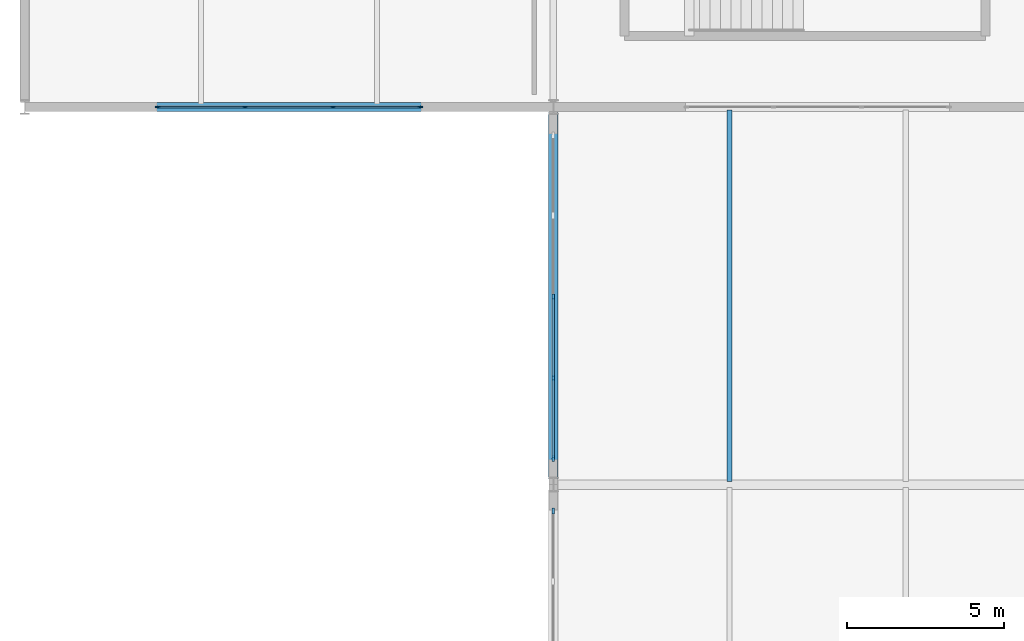
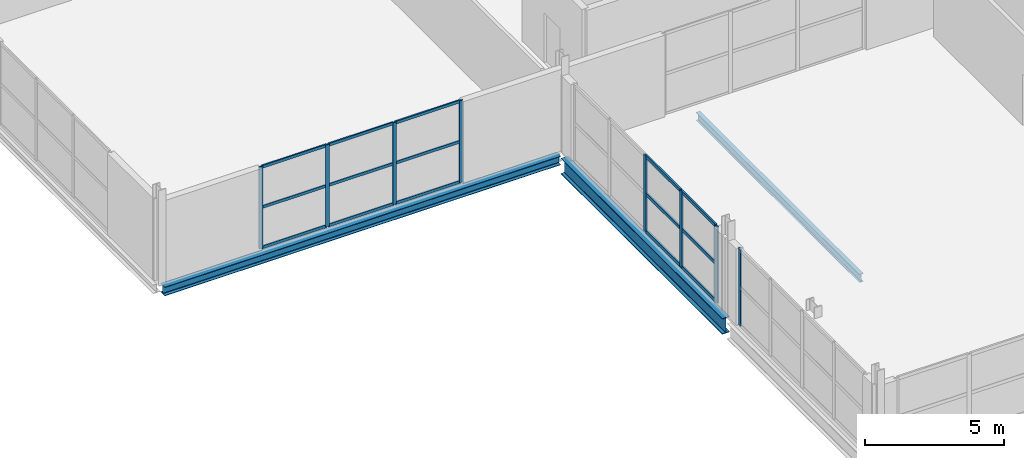
# One storey, part 10 of 39: 23 members, 3 beams, 3 elements without a shape of their own.
"""IFC4 building model written with IfcOpenShell, lengths in metres."""

from ifc_helpers import new_model, si_unit, direction, frame, origin, origin_2d, place, context, subcontext, project, spatial, rectangle, i_section, extrude, material, material_profile, profile_set, type_object, element, aggregate, save


model = new_model("IFC4")

# Units and contexts
model_context = context("Model", 3, precision=1e-05, world=origin(), true_north=direction((0.0, 1.0)))
body_context = subcontext(model_context, "Body", "Model", "MODEL_VIEW")
ifc_project = project(units=[si_unit("LENGTHUNIT", "METRE"), si_unit("AREAUNIT", "SQUARE_METRE"), si_unit("VOLUMEUNIT", "CUBIC_METRE"), si_unit("PLANEANGLEUNIT", "RADIAN"), si_unit("MASSUNIT", "GRAM", prefix="KILO")], contexts=[model_context])

# Site, building, storey
site_placement = place(None, origin())
site = spatial("IfcSite", under=ifc_project, at=site_placement, CompositionType="ELEMENT")
building_placement = place(site_placement, origin())
building = spatial("IfcBuilding", under=site, at=building_placement, Name="Kimbaza Rail Terminus", CompositionType="ELEMENT")
storey_placement = place(building_placement, frame((0.0, 0.0, 16.800048828125)))
storey = spatial("IfcBuildingStorey", under=building, at=storey_placement, Name="L03", CompositionType="ELEMENT", Elevation=16.800048828125)

# Curtain wall, member
ifc_material_1 = material(Name="Anodised aluminium framing and solar low-E glazing", Category="aluminium")
curtain_wall_type_1 = type_object("IfcCurtainWallType", Name="ARC-CW-BRG", PredefinedType="USERDEFINED", material=ifc_material_1)
curtain_wall_1_placement = place(storey_placement, origin())
curtain_wall_1 = element("IfcCurtainWall", 1, at=curtain_wall_1_placement, inside=storey, type_object=curtain_wall_type_1, Name="Over-Track Footbridge W Panoramic Curtain Wall 1", ObjectType="UNITISED CURTAIN WALL", PredefinedType="USERDEFINED")
ifc_material_2 = material(Name="Anodised architectural aluminium", Category="aluminium")
ifc_material_profile_1 = material_profile(ifc_material_2, rectangle(XDim=0.068115234375, YDim=0.18994140625, at=origin_2d()), Name="MULLION 68x190")
ifc_profile_set_1 = profile_set([ifc_material_profile_1], Name="Anodised architectural aluminium")
member_type_1 = type_object("IfcMemberType", Name="ARC-CWM-03", PredefinedType="MULLION", material=ifc_profile_set_1)
member_1_placement = place(storey_placement, frame((72.0, 90.166015625, 0.0), z_axis=(0.0, 0.0, 1.0), x_axis=(-1.0, 0.0, 0.0)))
member_1 = element("IfcMember", 2, at=member_1_placement, type_object=member_type_1, Name="CW-03 mullion 5", PredefinedType="MULLION", context=body_context, shape_type="SweptSolid", body=[
    extrude(rectangle(XDim=0.068115234375, YDim=0.18994140625, at=origin_2d()), origin(), (0.0, 0.0, 1.0), 3.369873046875),
])
aggregate(curtain_wall_1, [member_1])

# Curtain wall, members
curtain_wall_2_placement = place(storey_placement, origin())
curtain_wall_2 = element("IfcCurtainWall", 3, at=curtain_wall_2_placement, inside=storey, type_object=curtain_wall_type_1, Name="Over-Track Footbridge W Panoramic Curtain Wall 2", ObjectType="UNITISED CURTAIN WALL", PredefinedType="USERDEFINED")
member_2_placement = place(storey_placement, frame((72.0, 91.833984375, 0.0), z_axis=(0.0, 0.0, 1.0), x_axis=(-1.0, 0.0, 0.0)))
member_2 = element("IfcMember", 4, at=member_2_placement, type_object=member_type_1, Name="CW-03 mullion 1", PredefinedType="MULLION", context=body_context, shape_type="SweptSolid", body=[
    extrude(rectangle(XDim=0.068115234375, YDim=0.18994140625, at=origin_2d()), origin(), (0.0, 0.0, 1.0), 3.369873046875),
])
member_3_placement = place(storey_placement, frame((72.0, 94.385009765625, 0.0), z_axis=(0.0, 0.0, 1.0), x_axis=(-1.0, 0.0, 0.0)))
member_3 = element("IfcMember", 5, at=member_3_placement, type_object=member_type_1, Name="CW-03 mullion 2", PredefinedType="MULLION", context=body_context, shape_type="SweptSolid", body=[
    extrude(rectangle(XDim=0.068115234375, YDim=0.18994140625, at=origin_2d()), origin(), (0.0, 0.0, 1.0), 3.369873046875),
])
member_4_placement = place(storey_placement, frame((72.0, 96.969970703125, 0.0), z_axis=(0.0, 0.0, 1.0), x_axis=(-1.0, 0.0, 0.0)))
member_4 = element("IfcMember", 6, at=member_4_placement, type_object=member_type_1, Name="CW-03 mullion 3", PredefinedType="MULLION", context=body_context, shape_type="SweptSolid", body=[
    extrude(rectangle(XDim=0.068115234375, YDim=0.18994140625, at=origin_2d()), origin(), (0.0, 0.0, 1.0), 3.369873046875),
])

ifc_material_3 = material(Name="Anodised aluminium framing and solar low-E glazing", Category="aluminium")
curtain_wall_type_2 = type_object("IfcCurtainWallType", Name="ARC-CW-OP2", PredefinedType="USERDEFINED", material=ifc_material_3)
curtain_wall_3_placement = place(storey_placement, origin())
curtain_wall_3 = element("IfcCurtainWall", 7, at=curtain_wall_3_placement, inside=storey, type_object=curtain_wall_type_2, Name="Operations South Curtain Wall L03 Bay 1", ObjectType="STICK CURTAIN WALL", PredefinedType="USERDEFINED")
ifc_material_4 = material(Name="Anodised architectural aluminium", Category="aluminium")
ifc_material_profile_2 = material_profile(ifc_material_4, rectangle(XDim=0.05810546875, YDim=0.14990234375, at=origin_2d()), Name="MULLION 58x150")
ifc_profile_set_2 = profile_set([ifc_material_profile_2], Name="Anodised architectural aluminium")
member_type_2 = type_object("IfcMemberType", Name="ARC-CWM-06", PredefinedType="MULLION", material=ifc_profile_set_2)
member_5_placement = place(storey_placement, frame((59.428955078125, 103.0, 0.0), z_axis=(0.0, 0.0, 1.0), x_axis=(0.0, 1.0, 0.0)))
member_5 = element("IfcMember", 8, at=member_5_placement, type_object=member_type_2, Name="CW-06 mullion 1", PredefinedType="MULLION", context=body_context, shape_type="SweptSolid", body=[
    extrude(rectangle(XDim=0.05810546875, YDim=0.14990234375, at=origin_2d()), origin(), (0.0, 0.0, 1.0), 3.60498046875),
])
member_6_placement = place(storey_placement, frame((62.199951171875, 103.0, 0.0), z_axis=(0.0, 0.0, 1.0), x_axis=(0.0, 1.0, 0.0)))
member_6 = element("IfcMember", 9, at=member_6_placement, type_object=member_type_2, Name="CW-06 mullion 2", PredefinedType="MULLION", context=body_context, shape_type="SweptSolid", body=[
    extrude(rectangle(XDim=0.05810546875, YDim=0.14990234375, at=origin_2d()), origin(), (0.0, 0.0, 1.0), 3.60498046875),
])
member_7_placement = place(storey_placement, frame((65.0, 103.0, 0.0), z_axis=(0.0, 0.0, 1.0), x_axis=(0.0, 1.0, 0.0)))
member_7 = element("IfcMember", 10, at=member_7_placement, type_object=member_type_2, Name="CW-06 mullion 3", PredefinedType="MULLION", context=body_context, shape_type="SweptSolid", body=[
    extrude(rectangle(XDim=0.05810546875, YDim=0.14990234375, at=origin_2d()), origin(), (0.0, 0.0, 1.0), 3.60498046875),
])
member_8_placement = place(storey_placement, frame((67.77099609375, 103.0, 0.0), z_axis=(0.0, 0.0, 1.0), x_axis=(0.0, 1.0, 0.0)))
member_8 = element("IfcMember", 11, at=member_8_placement, type_object=member_type_2, Name="CW-06 mullion 4", PredefinedType="MULLION", context=body_context, shape_type="SweptSolid", body=[
    extrude(rectangle(XDim=0.05810546875, YDim=0.14990234375, at=origin_2d()), origin(), (0.0, 0.0, 1.0), 3.60498046875),
])

# Member
ifc_material_5 = material(Name="Anodised architectural aluminium", Category="aluminium")
ifc_material_profile_3 = material_profile(ifc_material_5, rectangle(XDim=0.068115234375, YDim=0.14990234375, at=origin_2d()), Name="TRANSOM 68x150")
ifc_profile_set_3 = profile_set([ifc_material_profile_3], Name="Anodised architectural aluminium")
member_type_3 = type_object("IfcMemberType", Name="ARC-CWT-03", PredefinedType="USERDEFINED", material=ifc_profile_set_3)
member_9_placement = place(storey_placement, frame((72.0, 91.867919921875, 0.033935546875), z_axis=(0.0, 1.0, 0.0), x_axis=(-1.0, 0.0, 0.0)))
member_9 = element("IfcMember", 12, at=member_9_placement, type_object=member_type_3, Name="CW-03 transom 1.1", ObjectType="TRANSOM", PredefinedType="USERDEFINED", context=body_context, shape_type="SweptSolid", body=[
    extrude(rectangle(XDim=0.068115234375, YDim=0.14990234375, at=origin_2d()), origin(), (0.0, 0.0, 1.0), 2.483154296875),
])

member_10_placement = place(storey_placement, frame((72.0, 91.867919921875, 1.68505859375), z_axis=(0.0, 1.0, 0.0), x_axis=(-1.0, 0.0, 0.0)))
member_10 = element("IfcMember", 13, at=member_10_placement, type_object=member_type_3, Name="CW-03 transom 1.2", ObjectType="TRANSOM", PredefinedType="USERDEFINED", context=body_context, shape_type="SweptSolid", body=[
    extrude(rectangle(XDim=0.068115234375, YDim=0.14990234375, at=origin_2d()), origin(), (0.0, 0.0, 1.0), 2.483154296875),
])

member_11_placement = place(storey_placement, frame((72.0, 91.867919921875, 3.3359375), z_axis=(0.0, 1.0, 0.0), x_axis=(-1.0, 0.0, 0.0)))
member_11 = element("IfcMember", 14, at=member_11_placement, type_object=member_type_3, Name="CW-03 transom 1.3", ObjectType="TRANSOM", PredefinedType="USERDEFINED", context=body_context, shape_type="SweptSolid", body=[
    extrude(rectangle(XDim=0.068115234375, YDim=0.14990234375, at=origin_2d()), origin(), (0.0, 0.0, 1.0), 2.483154296875),
])

member_12_placement = place(storey_placement, frame((72.0, 94.4189453125, 0.033935546875), z_axis=(0.0, 1.0, 0.0), x_axis=(-1.0, 0.0, 0.0)))
member_12 = element("IfcMember", 15, at=member_12_placement, type_object=member_type_3, Name="CW-03 transom 2.1", ObjectType="TRANSOM", PredefinedType="USERDEFINED", context=body_context, shape_type="SweptSolid", body=[
    extrude(rectangle(XDim=0.068115234375, YDim=0.14990234375, at=origin_2d()), origin(), (0.0, 0.0, 1.0), 2.51708984375),
])

member_13_placement = place(storey_placement, frame((72.0, 94.4189453125, 1.68505859375), z_axis=(0.0, 1.0, 0.0), x_axis=(-1.0, 0.0, 0.0)))
member_13 = element("IfcMember", 16, at=member_13_placement, type_object=member_type_3, Name="CW-03 transom 2.2", ObjectType="TRANSOM", PredefinedType="USERDEFINED", context=body_context, shape_type="SweptSolid", body=[
    extrude(rectangle(XDim=0.068115234375, YDim=0.14990234375, at=origin_2d()), origin(), (0.0, 0.0, 1.0), 2.51708984375),
])

member_14_placement = place(storey_placement, frame((72.0, 94.4189453125, 3.3359375), z_axis=(0.0, 1.0, 0.0), x_axis=(-1.0, 0.0, 0.0)))
member_14 = element("IfcMember", 17, at=member_14_placement, type_object=member_type_3, Name="CW-03 transom 2.3", ObjectType="TRANSOM", PredefinedType="USERDEFINED", context=body_context, shape_type="SweptSolid", body=[
    extrude(rectangle(XDim=0.068115234375, YDim=0.14990234375, at=origin_2d()), origin(), (0.0, 0.0, 1.0), 2.51708984375),
])

aggregate(curtain_wall_2, [member_2, member_3, member_4, member_9, member_10, member_11, member_12, member_13, member_14])

ifc_material_6 = material(Name="Anodised architectural aluminium", Category="aluminium")
ifc_material_profile_4 = material_profile(ifc_material_6, rectangle(XDim=0.05810546875, YDim=0.125, at=origin_2d()), Name="TRANSOM 58x125")
ifc_profile_set_4 = profile_set([ifc_material_profile_4], Name="Anodised architectural aluminium")
member_type_4 = type_object("IfcMemberType", Name="ARC-CWT-06", PredefinedType="USERDEFINED", material=ifc_profile_set_4)
member_15_placement = place(storey_placement, frame((59.4580078125, 103.0, 0.029052734375), z_axis=(1.0, 0.0, 0.0), x_axis=(0.0, 1.0, 0.0)))
member_15 = element("IfcMember", 18, at=member_15_placement, type_object=member_type_4, Name="CW-06 transom 1.1", ObjectType="TRANSOM", PredefinedType="USERDEFINED", context=body_context, shape_type="SweptSolid", body=[
    extrude(rectangle(XDim=0.05810546875, YDim=0.125, at=origin_2d()), origin(), (0.0, 0.0, 1.0), 2.712890625),
])

member_16_placement = place(storey_placement, frame((59.4580078125, 103.0, 1.802490234375), z_axis=(1.0, 0.0, 0.0), x_axis=(0.0, 1.0, 0.0)))
member_16 = element("IfcMember", 19, at=member_16_placement, type_object=member_type_4, Name="CW-06 transom 1.2", ObjectType="TRANSOM", PredefinedType="USERDEFINED", context=body_context, shape_type="SweptSolid", body=[
    extrude(rectangle(XDim=0.05810546875, YDim=0.125, at=origin_2d()), origin(), (0.0, 0.0, 1.0), 2.712890625),
])

member_17_placement = place(storey_placement, frame((59.4580078125, 103.0, 3.575927734375), z_axis=(1.0, 0.0, 0.0), x_axis=(0.0, 1.0, 0.0)))
member_17 = element("IfcMember", 20, at=member_17_placement, type_object=member_type_4, Name="CW-06 transom 1.3", ObjectType="TRANSOM", PredefinedType="USERDEFINED", context=body_context, shape_type="SweptSolid", body=[
    extrude(rectangle(XDim=0.05810546875, YDim=0.125, at=origin_2d()), origin(), (0.0, 0.0, 1.0), 2.712890625),
])

member_18_placement = place(storey_placement, frame((62.22900390625, 103.0, 0.029052734375), z_axis=(1.0, 0.0, 0.0), x_axis=(0.0, 1.0, 0.0)))
member_18 = element("IfcMember", 21, at=member_18_placement, type_object=member_type_4, Name="CW-06 transom 2.1", ObjectType="TRANSOM", PredefinedType="USERDEFINED", context=body_context, shape_type="SweptSolid", body=[
    extrude(rectangle(XDim=0.05810546875, YDim=0.125, at=origin_2d()), origin(), (0.0, 0.0, 1.0), 2.741943359375),
])

member_19_placement = place(storey_placement, frame((62.22900390625, 103.0, 1.802490234375), z_axis=(1.0, 0.0, 0.0), x_axis=(0.0, 1.0, 0.0)))
member_19 = element("IfcMember", 22, at=member_19_placement, type_object=member_type_4, Name="CW-06 transom 2.2", ObjectType="TRANSOM", PredefinedType="USERDEFINED", context=body_context, shape_type="SweptSolid", body=[
    extrude(rectangle(XDim=0.05810546875, YDim=0.125, at=origin_2d()), origin(), (0.0, 0.0, 1.0), 2.741943359375),
])

member_20_placement = place(storey_placement, frame((62.22900390625, 103.0, 3.575927734375), z_axis=(1.0, 0.0, 0.0), x_axis=(0.0, 1.0, 0.0)))
member_20 = element("IfcMember", 23, at=member_20_placement, type_object=member_type_4, Name="CW-06 transom 2.3", ObjectType="TRANSOM", PredefinedType="USERDEFINED", context=body_context, shape_type="SweptSolid", body=[
    extrude(rectangle(XDim=0.05810546875, YDim=0.125, at=origin_2d()), origin(), (0.0, 0.0, 1.0), 2.741943359375),
])

member_21_placement = place(storey_placement, frame((65.029052734375, 103.0, 0.029052734375), z_axis=(1.0, 0.0, 0.0), x_axis=(0.0, 1.0, 0.0)))
member_21 = element("IfcMember", 24, at=member_21_placement, type_object=member_type_4, Name="CW-06 transom 3.1", ObjectType="TRANSOM", PredefinedType="USERDEFINED", context=body_context, shape_type="SweptSolid", body=[
    extrude(rectangle(XDim=0.05810546875, YDim=0.125, at=origin_2d()), origin(), (0.0, 0.0, 1.0), 2.712890625),
])

member_22_placement = place(storey_placement, frame((65.029052734375, 103.0, 1.802490234375), z_axis=(1.0, 0.0, 0.0), x_axis=(0.0, 1.0, 0.0)))
member_22 = element("IfcMember", 25, at=member_22_placement, type_object=member_type_4, Name="CW-06 transom 3.2", ObjectType="TRANSOM", PredefinedType="USERDEFINED", context=body_context, shape_type="SweptSolid", body=[
    extrude(rectangle(XDim=0.05810546875, YDim=0.125, at=origin_2d()), origin(), (0.0, 0.0, 1.0), 2.712890625),
])

member_23_placement = place(storey_placement, frame((65.029052734375, 103.0, 3.575927734375), z_axis=(1.0, 0.0, 0.0), x_axis=(0.0, 1.0, 0.0)))
member_23 = element("IfcMember", 26, at=member_23_placement, type_object=member_type_4, Name="CW-06 transom 3.3", ObjectType="TRANSOM", PredefinedType="USERDEFINED", context=body_context, shape_type="SweptSolid", body=[
    extrude(rectangle(XDim=0.05810546875, YDim=0.125, at=origin_2d()), origin(), (0.0, 0.0, 1.0), 2.712890625),
])

aggregate(curtain_wall_3, [member_5, member_6, member_7, member_8, member_15, member_16, member_17, member_18, member_19, member_20, member_21, member_22, member_23])

# Beams
ifc_material_7 = material(Name="Steel S355", Category="steel")
ifc_material_profile_5 = material_profile(ifc_material_7, i_section(OverallWidth=0.300048828125, OverallDepth=0.389892578125, WebThickness=0.010986328125, FlangeThickness=0.01904296875, FilletRadius=0.027099609375, at=origin_2d()), Name="HEA 400")
ifc_profile_set_5 = profile_set([ifc_material_profile_5], Name="Steel S355")
beam_type_1 = type_object("IfcBeamType", Name="STR-BM-HEA400", PredefinedType="SPANDREL", material=ifc_profile_set_5)
beam_1_placement = place(storey_placement, frame((55.345947265625, 103.0, -0.39501953125), z_axis=(1.0, 0.0, 0.0), x_axis=(0.0, 1.0, 0.0)))
element("IfcBeam", 27, at=beam_1_placement, inside=storey, type_object=beam_type_1, Name="Operations Girder L03 X0-Y0", PredefinedType="SPANDREL", context=body_context, shape_type="SweptSolid", body=[
    extrude(i_section(OverallWidth=0.300048828125, OverallDepth=0.389892578125, WebThickness=0.010986328125, FlangeThickness=0.01904296875, FilletRadius=0.027099609375, at=origin_2d()), origin(), (0.0, 0.0, 1.0), 16.508056640625),
])
ifc_material_8 = material(Name="Steel S355", Category="steel")
ifc_material_profile_6 = material_profile(ifc_material_8, i_section(OverallWidth=0.300048828125, OverallDepth=0.699951171875, WebThickness=0.01708984375, FlangeThickness=0.031982421875, FilletRadius=0.027099609375, at=origin_2d()), Name="HEB 700")
ifc_profile_set_6 = profile_set([ifc_material_profile_6], Name="Steel S355")
beam_type_2 = type_object("IfcBeamType", Name="STR-BM-HEB700", PredefinedType="USERDEFINED", material=ifc_profile_set_6)
beam_2_placement = place(storey_placement, frame((72.0, 91.175048828125, -0.630126953125), z_axis=(0.0, 1.0, 0.0), x_axis=(-1.0, 0.0, 0.0)))
element("IfcBeam", 28, at=beam_2_placement, inside=storey, type_object=beam_type_2, Name="Beam BM-BRGY-72-91", ObjectType="GIRDER", PredefinedType="USERDEFINED", context=body_context, shape_type="SweptSolid", body=[
    extrude(i_section(OverallWidth=0.300048828125, OverallDepth=0.699951171875, WebThickness=0.01708984375, FlangeThickness=0.031982421875, FilletRadius=0.027099609375, at=origin_2d()), origin(), (0.0, 0.0, 1.0), 11.64990234375),
])
ifc_material_9 = material(Name="Steel S355", Category="steel")
ifc_material_profile_7 = material_profile(ifc_material_9, i_section(OverallWidth=0.169921875, OverallDepth=0.360107421875, WebThickness=0.008056640625, FlangeThickness=0.0126953125, FilletRadius=0.01806640625, at=origin_2d()), Name="IPE 360")
ifc_profile_set_7 = profile_set([ifc_material_profile_7], Name="Steel S355")
beam_type_3 = type_object("IfcBeamType", Name="STR-BM-IPE360", PredefinedType="JOIST", material=ifc_profile_set_7)
beam_3_placement = place(storey_placement, frame((77.60009765625, 91.10009765625, -0.4599609375), z_axis=(0.0, 1.0, 0.0), x_axis=(-1.0, 0.0, 0.0)))
element("IfcBeam", 29, at=beam_3_placement, inside=storey, type_object=beam_type_3, Name="Beam JST-BRG-L03-0-1-91", PredefinedType="JOIST", context=body_context, shape_type="SweptSolid", body=[
    extrude(i_section(OverallWidth=0.169921875, OverallDepth=0.360107421875, WebThickness=0.008056640625, FlangeThickness=0.0126953125, FilletRadius=0.01806640625, at=origin_2d()), origin(), (0.0, 0.0, 1.0), 11.7998046875),
])

save(model, "model.ifc")
